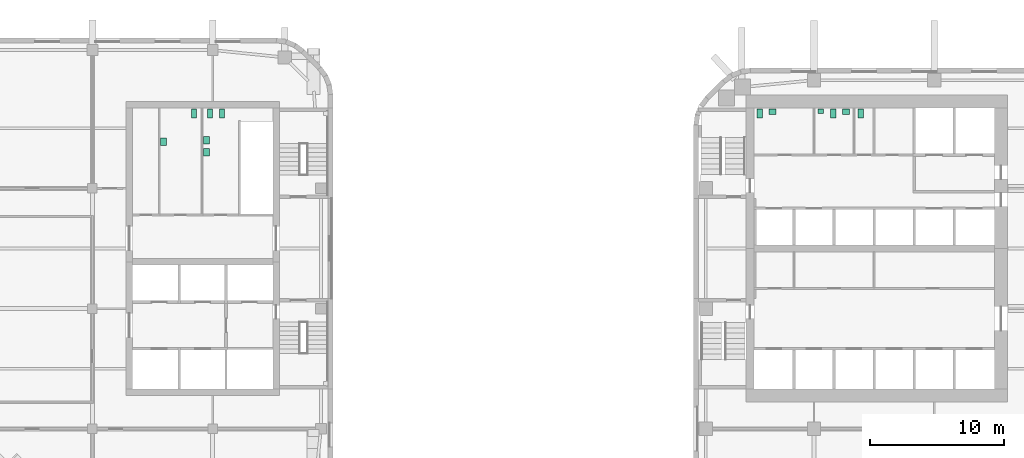
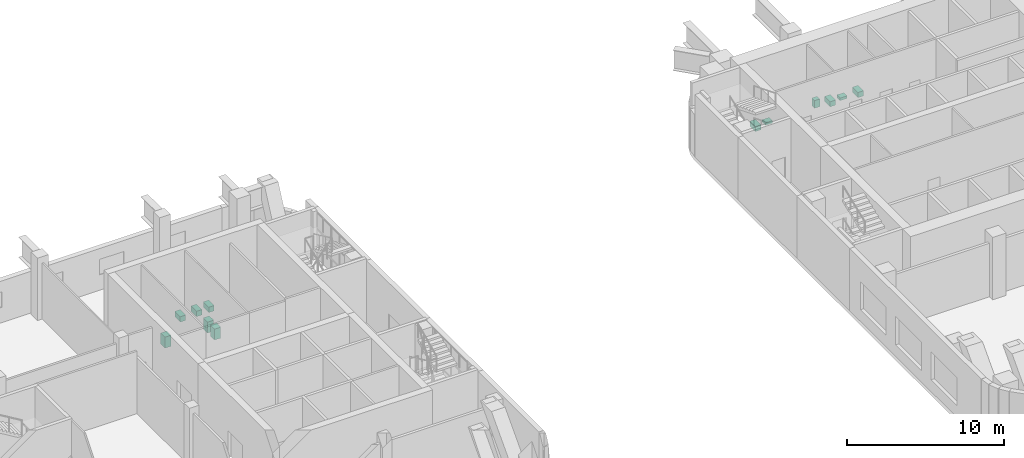
# One storey, part 14 of 14: 12 sanitary terminals.
"""IFC4 building model written with IfcOpenShell, lengths in metres."""

from ifc_helpers import new_model, si_unit, direction, frame, origin, origin_2d, place, context, subcontext, project, spatial, rectangle, extrude, material, type_object, element, save


model = new_model("IFC4")

# Units and contexts
model_context = context("Model", 3, precision=1e-05, world=origin(), true_north=direction((0.0, 1.0)))
body_context = subcontext(model_context, "Body", "Model", "MODEL_VIEW")
ifc_project = project(units=[si_unit("LENGTHUNIT", "METRE"), si_unit("AREAUNIT", "SQUARE_METRE"), si_unit("VOLUMEUNIT", "CUBIC_METRE"), si_unit("PLANEANGLEUNIT", "RADIAN"), si_unit("MASSUNIT", "GRAM", prefix="KILO")], contexts=[model_context])

# Site, building, storey
site_placement = place(None, origin())
site = spatial("IfcSite", under=ifc_project, at=site_placement, CompositionType="ELEMENT")
building_placement = place(site_placement, origin())
building = spatial("IfcBuilding", under=site, at=building_placement, Name="Cinnabar Reach Civic Tower", CompositionType="ELEMENT")
storey_placement = place(building_placement, frame((0.0, 0.0, 95.0)))
storey = spatial("IfcBuildingStorey", under=building, at=storey_placement, Name="L22", CompositionType="ELEMENT", Elevation=95.0)

# Sanitary terminals
ifc_material = material(Name="Vitreous china")
sanitary_terminal_type_1 = type_object("IfcSanitaryTerminalType", Name="T1 WC pan", PredefinedType="TOILETPAN", material=ifc_material)
for number, where, z_axis, x_axis, name in (
    (1, (4.95, 41.6, 0.0), (0.0, 0.0, 1.0), (1.0, 0.0, 0.0), "T1 WC pan 2207-1"),
    (2, (10.45, 41.6, 0.0), (0.0, 0.0, 1.0), (1.0, 0.0, 0.0), "T1 WC pan 2208-2"),
    (3, (12.5, 41.6, 0.0), (0.0, 0.0, 1.0), (1.0, 0.0, 0.0), "T1 WC pan 2209-1"),
):
    element("IfcSanitaryTerminal", number, at=place(storey_placement, frame(where, z_axis=z_axis, x_axis=x_axis)), inside=storey, type_object=sanitary_terminal_type_1, Name=name, PredefinedType="TOILETPAN", context=body_context, shape_type="SweptSolid", body=[
        extrude(rectangle(XDim=0.4, YDim=0.7, at=origin_2d()), origin(), (0.0, 0.0, 1.0), 0.4),
    ])
sanitary_terminal_type_2 = type_object("IfcSanitaryTerminalType", Name="T1 urinal", PredefinedType="URINAL", material=ifc_material)
sanitary_terminal_placement = place(storey_placement, frame((9.5, 41.775, 0.0), z_axis=(0.0, 0.0, 1.0), x_axis=(1.0, 0.0, 0.0)))
element("IfcSanitaryTerminal", 4, at=sanitary_terminal_placement, inside=storey, type_object=sanitary_terminal_type_2, Name="T1 urinal 2208-1", PredefinedType="URINAL", context=body_context, shape_type="SweptSolid", body=[
    extrude(rectangle(XDim=0.4, YDim=0.35, at=origin_2d()), origin(), (0.0, 0.0, 1.0), 0.6),
])
sanitary_terminal_type_3 = type_object("IfcSanitaryTerminalType", Name="T1 wash basin", PredefinedType="WASHHANDBASIN", material=ifc_material)
for number, where, z_axis, x_axis, name in (
    (5, (5.9, 41.74, 0.0), (0.0, 0.0, 1.0), (1.0, 0.0, 0.0), "T1 wash basin 2207-2"),
    (6, (11.4, 41.74, 0.0), (0.0, 0.0, 1.0), (1.0, 0.0, 0.0), "T1 wash basin 2208-3"),
):
    element("IfcSanitaryTerminal", number, at=place(storey_placement, frame(where, z_axis=z_axis, x_axis=x_axis)), inside=storey, type_object=sanitary_terminal_type_3, Name=name, PredefinedType="WASHHANDBASIN", context=body_context, shape_type="SweptSolid", body=[
        extrude(rectangle(XDim=0.5, YDim=0.42, at=origin_2d()), origin(), (0.0, 0.0, 1.0), 0.2),
    ])
sanitary_terminal_type_4 = type_object("IfcSanitaryTerminalType", Name="T2 WC pan", PredefinedType="TOILETPAN", material=ifc_material)
for number, where, z_axis, x_axis, name in (
    (7, (-37.4, 41.6, 0.0), (0.0, 0.0, 1.0), (1.0, 0.0, 0.0), "WC pan"),
    (8, (-36.2, 41.6, 0.0), (0.0, 0.0, 1.0), (1.0, 0.0, 0.0), "WC pan"),
    (9, (-35.3, 41.6, 0.0), (0.0, 0.0, 1.0), (1.0, 0.0, 0.0), "WC pan"),
):
    element("IfcSanitaryTerminal", number, at=place(storey_placement, frame(where, z_axis=z_axis, x_axis=x_axis)), inside=storey, type_object=sanitary_terminal_type_4, Name=name, PredefinedType="TOILETPAN", context=body_context, shape_type="SweptSolid", body=[
        extrude(rectangle(XDim=0.4, YDim=0.7, at=origin_2d()), origin(), (0.0, 0.0, 1.0), 0.42),
    ])
sanitary_terminal_type_5 = type_object("IfcSanitaryTerminalType", Name="T2 Wash basin", PredefinedType="WASHHANDBASIN", material=ifc_material)
for number, where, z_axis, x_axis, name in (
    (10, (-39.675, 39.5, 0.0), (0.0, 0.0, 1.0), (1.0, 0.0, 0.0), "Wash basin"),
    (11, (-36.475, 39.6, 0.0), (0.0, 0.0, 1.0), (1.0, 0.0, 0.0), "Wash basin"),
    (12, (-36.475, 38.7, 0.0), (0.0, 0.0, 1.0), (1.0, 0.0, 0.0), "Wash basin"),
):
    element("IfcSanitaryTerminal", number, at=place(storey_placement, frame(where, z_axis=z_axis, x_axis=x_axis)), inside=storey, type_object=sanitary_terminal_type_5, Name=name, PredefinedType="WASHHANDBASIN", context=body_context, shape_type="SweptSolid", body=[
        extrude(rectangle(XDim=0.45, YDim=0.55, at=origin_2d()), origin(), (0.0, 0.0, 1.0), 0.85),
    ])

save(model, "model.ifc")
